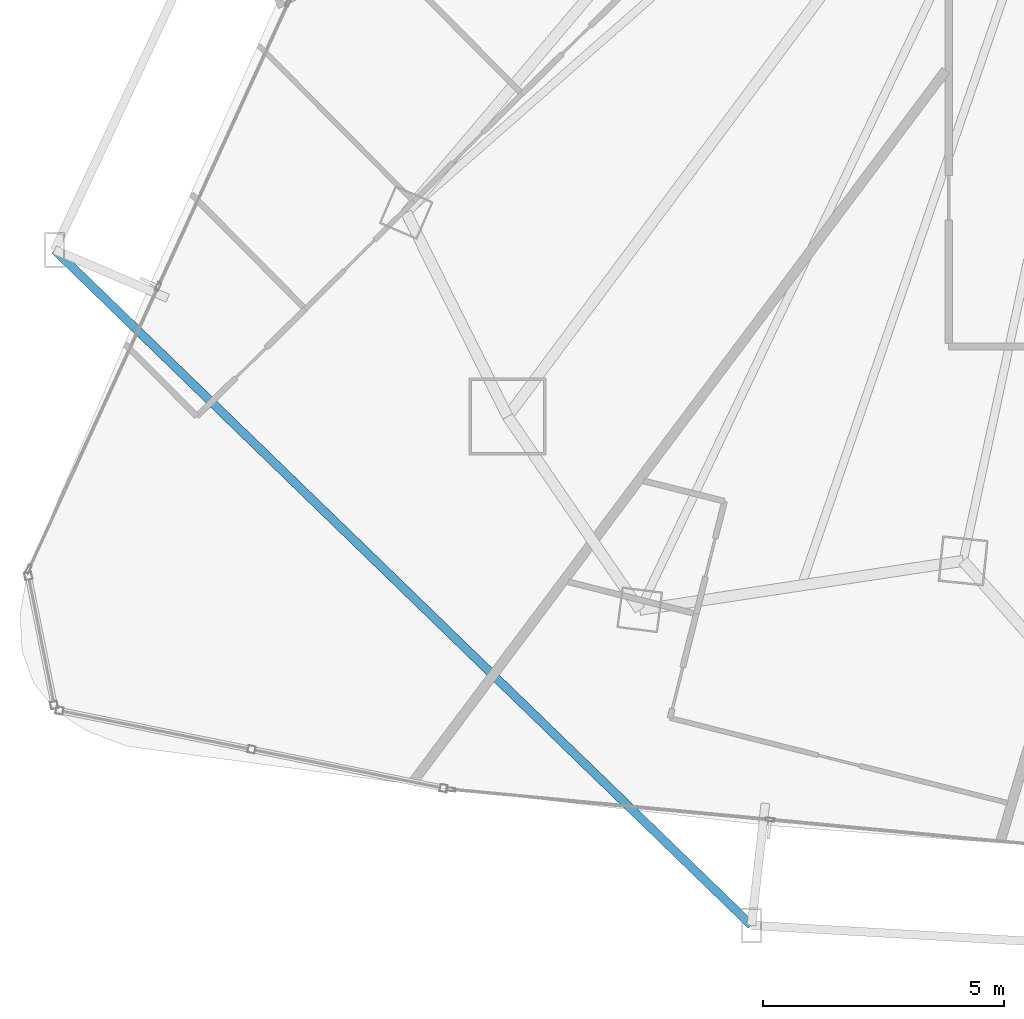
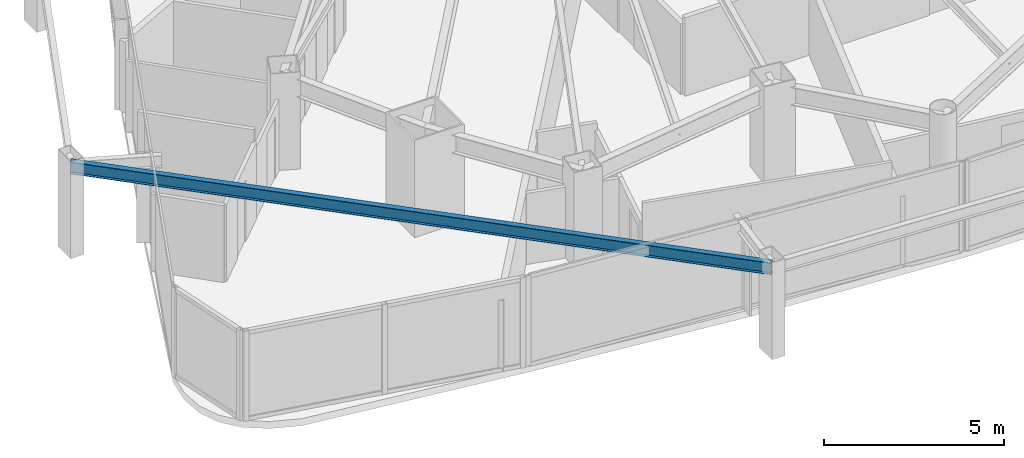
# One storey, part 3 of 35: 1 beam.
"""IFC4 building model written with IfcOpenShell, lengths in metres."""

from ifc_helpers import new_model, si_unit, direction, frame, origin, origin_2d, place, context, subcontext, project, spatial, i_section, extrude, material, material_profile, profile_set, type_object, element, save


model = new_model("IFC4")

# Units and contexts
model_context = context("Model", 3, precision=1e-05, world=origin(), true_north=direction((0.0, 1.0)))
body_context = subcontext(model_context, "Body", "Model", "MODEL_VIEW")
ifc_project = project(units=[si_unit("LENGTHUNIT", "METRE"), si_unit("AREAUNIT", "SQUARE_METRE"), si_unit("VOLUMEUNIT", "CUBIC_METRE"), si_unit("PLANEANGLEUNIT", "RADIAN"), si_unit("MASSUNIT", "GRAM", prefix="KILO")], contexts=[model_context])

# Site, building, storey
site_placement = place(None, origin())
site = spatial("IfcSite", under=ifc_project, at=site_placement, CompositionType="ELEMENT")
building_placement = place(site_placement, origin())
building = spatial("IfcBuilding", under=site, at=building_placement, Name="Orvanel Arch Residences", CompositionType="ELEMENT")
storey_placement = place(building_placement, frame((0.0, 0.0, 36.800048828125)))
storey = spatial("IfcBuildingStorey", under=building, at=storey_placement, Name="L09", CompositionType="ELEMENT", Elevation=36.800048828125)

# Beam
ifc_material = material(Name="Structural steel AS/NZS 3679.1 Grade 300 (300 MPa)", Category="steel")
ifc_material_profile = material_profile(ifc_material, i_section(OverallWidth=0.177978515625, OverallDepth=0.406005859375, WebThickness=0.0078125, FlangeThickness=0.0126953125, at=origin_2d()), Name="410UB59.7")
ifc_profile_set = profile_set([ifc_material_profile], Name="Structural steel AS/NZS 3679.1 Grade 300 (300 MPa)")
beam_type = type_object("IfcBeamType", Name="OB-410UB-EXT", PredefinedType="SPANDREL", material=ifc_profile_set)
beam_placement = place(storey_placement, frame((4.801025390625, 13.804931640625, 2.85693359375), z_axis=(0.718072802747, -0.695967994922, 0.0), x_axis=(0.695967994922, 0.718072802747, 0.0)))
element("IfcBeam", 1, at=beam_placement, inside=storey, type_object=beam_type, Name="L09 Outer Perimeter Floor Ring Beam 04", PredefinedType="SPANDREL", context=body_context, shape_type="SweptSolid", body=[
    extrude(i_section(OverallWidth=0.177978515625, OverallDepth=0.406005859375, WebThickness=0.0078125, FlangeThickness=0.0126953125, at=origin_2d()), origin(), (0.0, 0.0, 1.0), 20.134521484375),
])

save(model, "model.ifc")
